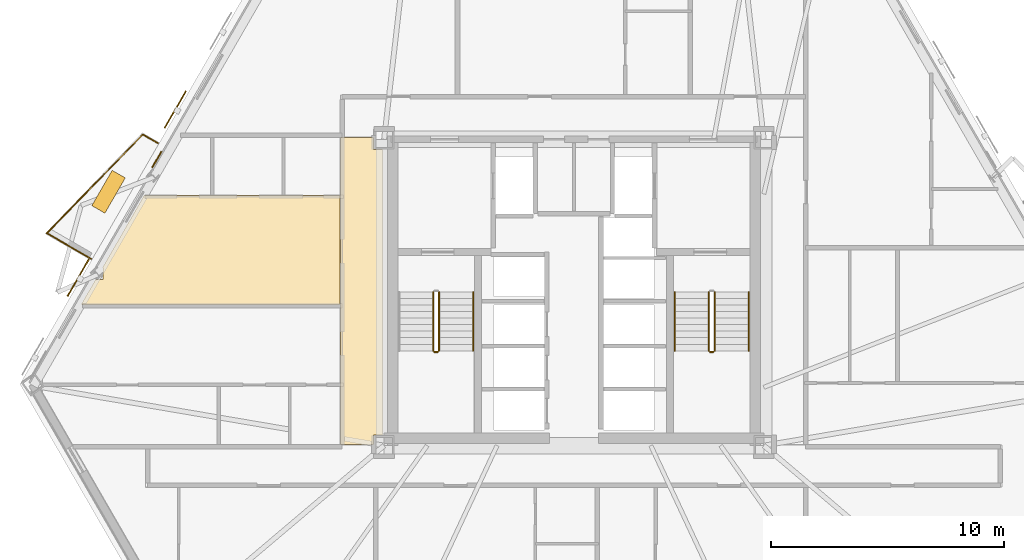
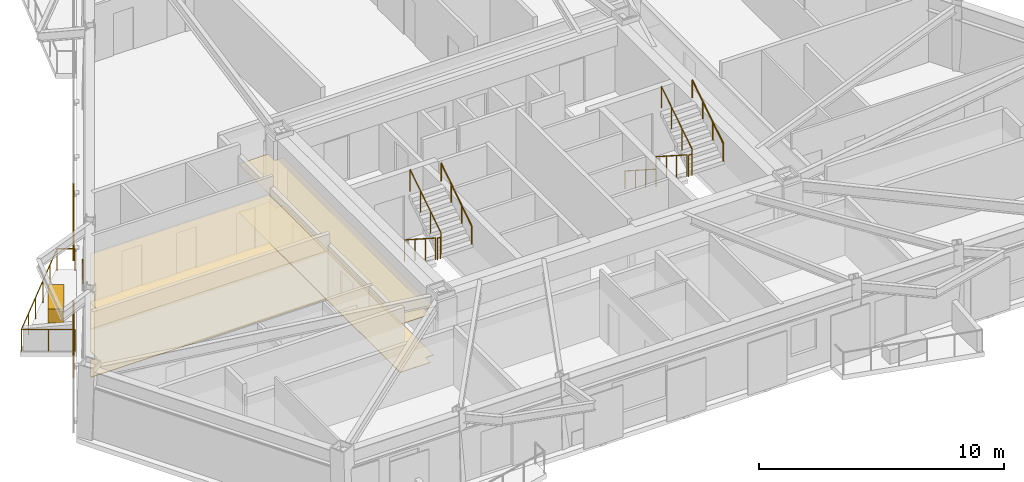
# One storey, part 8 of 10: 12 railings, 6 coverings, 2 shading devices.
"""IFC4 building model written with IfcOpenShell, lengths in metres."""

from ifc_helpers import new_model, si_unit, direction, frame, origin, origin_2d, place, context, subcontext, project, spatial, polyline, rectangle, circle, outline, extrude, material, layer, layer_set, type_object, element, save


model = new_model("IFC4")

# Units and contexts
model_context = context("Model", 3, precision=1e-05, world=origin(), true_north=direction((0.0, 1.0)))
body_context = subcontext(model_context, "Body", "Model", "MODEL_VIEW")
ifc_project = project(units=[si_unit("LENGTHUNIT", "METRE"), si_unit("AREAUNIT", "SQUARE_METRE"), si_unit("VOLUMEUNIT", "CUBIC_METRE"), si_unit("PLANEANGLEUNIT", "RADIAN"), si_unit("MASSUNIT", "GRAM", prefix="KILO")], contexts=[model_context])

# Site, building, storey
site_placement = place(None, origin())
site = spatial("IfcSite", under=ifc_project, at=site_placement, CompositionType="ELEMENT")
building_placement = place(site_placement, origin())
building = spatial("IfcBuilding", under=site, at=building_placement, Name="Oramaril Tower", CompositionType="ELEMENT")
storey_placement = place(building_placement, frame((0.0, 0.0, 96.89990234375)))
storey = spatial("IfcBuildingStorey", under=building, at=storey_placement, Name="L25", CompositionType="ELEMENT", Elevation=96.89990234375)

# Coverings
ifc_material_1 = material(Name="Mineral Fibre Acoustic Ceiling")
ifc_layer_1 = layer(ifc_material_1, 0.02001953125)
ifc_layer_set_1 = layer_set([ifc_layer_1], Name="CVT-CEIL")
covering_type_1 = type_object("IfcCoveringType", Name="CVT-CEIL", PredefinedType="CEILING", material=ifc_layer_set_1)
covering_1_placement = place(storey_placement, frame((0.0, 0.0, 2.400146484375)))
element("IfcCovering", 1, at=covering_1_placement, inside=storey, type_object=covering_type_1, Name="L25 Acoustic Suspended Ceiling 3", PredefinedType="CEILING", context=body_context, shape_type="SweptSolid", body=[
    extrude(outline(polyline([(28.905029296875, 23.705078125), (29.280029296875, 23.705078125), (29.280029296875, 11.445068359375), (28.905029296875, 11.445068359375), (28.905029296875, 11.050048828125), (27.469970703125, 11.050048828125), (27.469970703125, 24.219970703125), (28.905029296875, 24.219970703125), (28.905029296875, 23.705078125)])), origin(), (0.0, 0.0, 1.0), 0.02001953125),
])
covering_2_placement = place(storey_placement, frame((0.0, 0.0, 2.400146484375)))
element("IfcCovering", 2, at=covering_2_placement, inside=storey, type_object=covering_type_1, Name="L25 Acoustic Suspended Ceiling 16", PredefinedType="CEILING", context=body_context, shape_type="SweptSolid", body=[
    extrude(outline(polyline([(16.9658203125, 18.12060546875), (17.294189453125, 18.12060546875), (17.294189453125, 18.6337890625), (17.26220703125, 18.6337890625), (19.0478515625, 21.726806640625), (27.449951171875, 21.726806640625), (27.449951171875, 17.06201171875), (16.354736328125, 17.06201171875), (16.9658203125, 18.12060546875)])), origin(), (0.0, 0.0, 1.0), 0.02001953125),
])
ifc_material_2 = material(Name="Warm Cream Limestone", Category="masonry")
ifc_layer_2 = layer(ifc_material_2, 0.050048828125)
ifc_layer_set_2 = layer_set([ifc_layer_2], Name="CVT-CLD")
covering_type_2 = type_object("IfcCoveringType", Name="CVT-CLD", PredefinedType="CLADDING", material=ifc_layer_set_2)
covering_3_placement = place(storey_placement, frame((19.596435546875, 23.279052734375, 0.0400390625), z_axis=(0.0, 0.0, 1.0), x_axis=(-0.5, -0.866025403784, 0.0)))
element("IfcCovering", 3, at=covering_3_placement, inside=storey, type_object=covering_type_2, Name="L25 Warm Cream Limestone Spandrel Cladding", PredefinedType="CLADDING", context=body_context, shape_type="SweptSolid", body=[
    extrude(rectangle(XDim=0.800048828125, YDim=0.050048828125, at=origin_2d()), origin(), (0.0, 0.0, 1.0), 0.679931640625),
])
covering_4_placement = place(storey_placement, frame((17.523193359375, 21.89501953125, 0.0), z_axis=(0.0, 0.0, 1.0), x_axis=(-0.5, -0.866025403784, 0.0)))
element("IfcCovering", 4, at=covering_4_placement, inside=storey, type_object=covering_type_2, Name="L25 Structural Tree Planter Box L25-BAL-NW2", PredefinedType="CLADDING", context=body_context, shape_type="SweptSolid", body=[
    extrude(rectangle(XDim=1.75, YDim=0.64990234375, at=origin_2d()), origin(), (0.0, 0.0, 1.0), 0.699951171875),
])
ifc_material_3 = material(Name="Honed Quartzite Stone Flooring", Category="masonry")
ifc_layer_3 = layer(ifc_material_3, 0.02490234375)
ifc_layer_set_3 = layer_set([ifc_layer_3], Name="CVT-FLR")
covering_type_3 = type_object("IfcCoveringType", Name="CVT-FLR", PredefinedType="FLOORING", material=ifc_layer_set_3)
covering_5_placement = place(storey_placement, origin())
element("IfcCovering", 5, at=covering_5_placement, inside=storey, type_object=covering_type_3, Name="L25 Honed Stone Floor Finish 3", PredefinedType="FLOORING", context=body_context, shape_type="SweptSolid", body=[
    extrude(outline(polyline([(28.905029296875, 23.705078125), (29.280029296875, 23.705078125), (29.280029296875, 11.445068359375), (28.905029296875, 11.445068359375), (28.905029296875, 11.050048828125), (27.469970703125, 11.050048828125), (27.469970703125, 24.219970703125), (28.905029296875, 24.219970703125), (28.905029296875, 23.705078125)])), origin(), (0.0, 0.0, 1.0), 0.025146484375),
])
covering_6_placement = place(storey_placement, origin())
element("IfcCovering", 6, at=covering_6_placement, inside=storey, type_object=covering_type_3, Name="L25 Honed Stone Floor Finish 16", PredefinedType="FLOORING", context=body_context, shape_type="SweptSolid", body=[
    extrude(outline(polyline([(16.9658203125, 18.12060546875), (17.294189453125, 18.12060546875), (17.294189453125, 18.6337890625), (17.26220703125, 18.6337890625), (19.0478515625, 21.726806640625), (27.449951171875, 21.726806640625), (27.449951171875, 17.06201171875), (16.354736328125, 17.06201171875), (16.9658203125, 18.12060546875)])), origin(), (0.0, 0.0, 1.0), 0.025146484375),
])

# Railings
ifc_material_4 = material(Name="Stainless Steel 316L", Category="steel")
railing_type_1 = type_object("IfcRailingType", Name="RLT-GRD", PredefinedType="GUARDRAIL", material=ifc_material_4)
railing_1_placement = place(storey_placement, frame((16.7734375, 19.01953125, 0.0)))
element("IfcRailing", 7, at=railing_1_placement, inside=storey, type_object=railing_type_1, Name="L25 Balcony Guardrail L25-BAL-NW2.1", PredefinedType="GUARDRAIL", context=body_context, shape_type="SweptSolid", body=[
    extrude(circle(Radius=0.02392578125, at=origin_2d()), frame((0.0, 0.0, 1.076171875), z_axis=(-0.866020500697, 0.5000084923, 0.0), x_axis=(-0.5000084923, -0.866020500697, 0.0)), (0.0, 0.0, 1.0), 2.19189453125),
    extrude(circle(Radius=0.02099609375, at=origin_2d()), origin(), (0.0, 0.0, 1.0), 1.052001953125),
    extrude(circle(Radius=0.02099609375, at=origin_2d()), frame((-0.94921875, 0.5478515625, 0.0)), (0.0, 0.0, 1.0), 1.052001953125),
    extrude(circle(Radius=0.02099609375, at=origin_2d()), frame((-1.898193359375, 1.095947265625, 0.0)), (0.0, 0.0, 1.0), 1.052001953125),
])
railing_2_placement = place(storey_placement, frame((14.875244140625, 20.115478515625, 0.0)))
element("IfcRailing", 8, at=railing_2_placement, inside=storey, type_object=railing_type_1, Name="L25 Balcony Guardrail L25-BAL-NW2.2", PredefinedType="GUARDRAIL", context=body_context, shape_type="SweptSolid", body=[
    extrude(circle(Radius=0.02392578125, at=origin_2d()), frame((0.0, 0.0, 1.076171875), z_axis=(0.697186915353, 0.716889395277, 0.0), x_axis=(-0.716889395277, 0.697186915353, 0.0)), (0.0, 0.0, 1.0), 5.91064453125),
    extrude(circle(Radius=0.02099609375, at=origin_2d()), origin(), (0.0, 0.0, 1.0), 1.052001953125),
    extrude(circle(Radius=0.02099609375, at=origin_2d()), frame((0.82421875, 0.847412109375, 0.0)), (0.0, 0.0, 1.0), 1.052001953125),
    extrude(circle(Radius=0.02099609375, at=origin_2d()), frame((1.6484375, 1.69482421875, 0.0)), (0.0, 0.0, 1.0), 1.052001953125),
    extrude(circle(Radius=0.02099609375, at=origin_2d()), frame((2.472412109375, 2.54248046875, 0.0)), (0.0, 0.0, 1.0), 1.052001953125),
    extrude(circle(Radius=0.02099609375, at=origin_2d()), frame((3.296630859375, 3.389892578125, 0.0)), (0.0, 0.0, 1.0), 1.052001953125),
    extrude(circle(Radius=0.02099609375, at=origin_2d()), frame((4.120849609375, 4.2373046875, 0.0)), (0.0, 0.0, 1.0), 1.052001953125),
])
railing_3_placement = place(storey_placement, frame((18.99609375, 24.352783203125, 0.0)))
element("IfcRailing", 9, at=railing_3_placement, inside=storey, type_object=railing_type_1, Name="L25 Balcony Guardrail L25-BAL-NW2.3", PredefinedType="GUARDRAIL", context=body_context, shape_type="SweptSolid", body=[
    extrude(circle(Radius=0.02392578125, at=origin_2d()), frame((0.0, 0.0, 1.076171875), z_axis=(0.865884080729, -0.500244698863, 0.0), x_axis=(0.500244698863, 0.865884080729, 0.0)), (0.0, 0.0, 1.0), 0.741943359375),
    extrude(circle(Radius=0.02099609375, at=origin_2d()), origin(), (0.0, 0.0, 1.0), 1.052001953125),
    extrude(circle(Radius=0.02099609375, at=origin_2d()), frame((0.642333984375, -0.37109375, 0.0)), (0.0, 0.0, 1.0), 1.052001953125),
])
railing_4_placement = place(storey_placement, frame((31.4599609375, 17.590087890625, 0.18017578125)))
element("IfcRailing", 10, at=railing_4_placement, inside=storey, type_object=railing_type_1, Name="L25 ST-1 stair guard 1", PredefinedType="GUARDRAIL", context=body_context, shape_type="SweptSolid", body=[
    extrude(circle(Radius=0.02392578125, at=origin_2d()), frame((0.0, 0.0, 1.076171875), z_axis=(0.0, -0.841199657755, 0.540724639528), x_axis=(1.0, 0.0, 0.0)), (0.0, 0.0, 1.0), 2.995849609375),
    extrude(circle(Radius=0.02099609375, at=origin_2d()), origin(), (0.0, 0.0, 1.0), 1.052001953125),
    extrude(circle(Radius=0.02099609375, at=origin_2d()), frame((0.0, -0.840087890625, 0.5400390625)), (0.0, 0.0, 1.0), 1.052001953125),
    extrude(circle(Radius=0.02099609375, at=origin_2d()), frame((0.0, -1.679931640625, 1.079833984375)), (0.0, 0.0, 1.0), 1.052001953125),
    extrude(circle(Radius=0.02099609375, at=origin_2d()), frame((0.0, -2.52001953125, 1.619873046875)), (0.0, 0.0, 1.0), 1.052001953125),
])
railing_5_placement = place(storey_placement, frame((31.510009765625, 15.02001953125, 1.800048828125)))
element("IfcRailing", 11, at=railing_5_placement, inside=storey, type_object=railing_type_1, Name="L25 ST-1 stair guard 2", PredefinedType="GUARDRAIL", context=body_context, shape_type="SweptSolid", body=[
    extrude(circle(Radius=0.02392578125, at=origin_2d()), frame((0.0, 0.0, 1.076171875), z_axis=(1.0, 0.0, 0.0), x_axis=(0.0, 1.0, 0.0)), (0.0, 0.0, 1.0), 0.14990234375),
    extrude(circle(Radius=0.02099609375, at=origin_2d()), origin(), (0.0, 0.0, 1.0), 1.052001953125),
    extrude(circle(Radius=0.02099609375, at=origin_2d()), frame((0.14990234375, 0.0, 0.0)), (0.0, 0.0, 1.0), 1.052001953125),
])
railing_6_placement = place(storey_placement, frame((31.7099609375, 15.070068359375, 1.97998046875)))
element("IfcRailing", 12, at=railing_6_placement, inside=storey, type_object=railing_type_1, Name="L25 ST-1 stair guard 3", PredefinedType="GUARDRAIL", context=body_context, shape_type="SweptSolid", body=[
    extrude(circle(Radius=0.02392578125, at=origin_2d()), frame((0.0, 0.0, 1.076171875), z_axis=(0.0, 0.841162588446, 0.540782303519), x_axis=(-1.0, 0.0, 0.0)), (0.0, 0.0, 1.0), 2.995849609375),
    extrude(circle(Radius=0.02099609375, at=origin_2d()), origin(), (0.0, 0.0, 1.0), 1.052001953125),
    extrude(circle(Radius=0.02099609375, at=origin_2d()), frame((0.0, 0.840087890625, 0.5400390625)), (0.0, 0.0, 1.0), 1.052001953125),
    extrude(circle(Radius=0.02099609375, at=origin_2d()), frame((0.0, 1.679931640625, 1.080078125)), (0.0, 0.0, 1.0), 1.052001953125),
    extrude(circle(Radius=0.02099609375, at=origin_2d()), frame((0.0, 2.52001953125, 1.6201171875)), (0.0, 0.0, 1.0), 1.052001953125),
])
railing_7_placement = place(storey_placement, frame((43.2900390625, 17.590087890625, 0.18017578125)))
element("IfcRailing", 13, at=railing_7_placement, inside=storey, type_object=railing_type_1, Name="L25 ST-2 stair guard 1", PredefinedType="GUARDRAIL", context=body_context, shape_type="SweptSolid", body=[
    extrude(circle(Radius=0.02392578125, at=origin_2d()), frame((0.0, 0.0, 1.076171875), z_axis=(0.0, -0.841199657755, 0.540724639528), x_axis=(1.0, 0.0, 0.0)), (0.0, 0.0, 1.0), 2.995849609375),
    extrude(circle(Radius=0.02099609375, at=origin_2d()), origin(), (0.0, 0.0, 1.0), 1.052001953125),
    extrude(circle(Radius=0.02099609375, at=origin_2d()), frame((0.0, -0.840087890625, 0.5400390625)), (0.0, 0.0, 1.0), 1.052001953125),
    extrude(circle(Radius=0.02099609375, at=origin_2d()), frame((0.0, -1.679931640625, 1.079833984375)), (0.0, 0.0, 1.0), 1.052001953125),
    extrude(circle(Radius=0.02099609375, at=origin_2d()), frame((0.0, -2.52001953125, 1.619873046875)), (0.0, 0.0, 1.0), 1.052001953125),
])
railing_8_placement = place(storey_placement, frame((43.340087890625, 15.02001953125, 1.800048828125)))
element("IfcRailing", 14, at=railing_8_placement, inside=storey, type_object=railing_type_1, Name="L25 ST-2 stair guard 2", PredefinedType="GUARDRAIL", context=body_context, shape_type="SweptSolid", body=[
    extrude(circle(Radius=0.02392578125, at=origin_2d()), frame((0.0, 0.0, 1.076171875), z_axis=(1.0, 0.0, 0.0), x_axis=(0.0, 1.0, 0.0)), (0.0, 0.0, 1.0), 0.14990234375),
    extrude(circle(Radius=0.02099609375, at=origin_2d()), origin(), (0.0, 0.0, 1.0), 1.052001953125),
    extrude(circle(Radius=0.02099609375, at=origin_2d()), frame((0.14990234375, 0.0, 0.0)), (0.0, 0.0, 1.0), 1.052001953125),
])
railing_9_placement = place(storey_placement, frame((43.5400390625, 15.070068359375, 1.97998046875)))
element("IfcRailing", 15, at=railing_9_placement, inside=storey, type_object=railing_type_1, Name="L25 ST-2 stair guard 3", PredefinedType="GUARDRAIL", context=body_context, shape_type="SweptSolid", body=[
    extrude(circle(Radius=0.02392578125, at=origin_2d()), frame((0.0, 0.0, 1.076171875), z_axis=(0.0, 0.841162588446, 0.540782303519), x_axis=(-1.0, 0.0, 0.0)), (0.0, 0.0, 1.0), 2.995849609375),
    extrude(circle(Radius=0.02099609375, at=origin_2d()), origin(), (0.0, 0.0, 1.0), 1.052001953125),
    extrude(circle(Radius=0.02099609375, at=origin_2d()), frame((0.0, 0.840087890625, 0.5400390625)), (0.0, 0.0, 1.0), 1.052001953125),
    extrude(circle(Radius=0.02099609375, at=origin_2d()), frame((0.0, 1.679931640625, 1.080078125)), (0.0, 0.0, 1.0), 1.052001953125),
    extrude(circle(Radius=0.02099609375, at=origin_2d()), frame((0.0, 2.52001953125, 1.6201171875)), (0.0, 0.0, 1.0), 1.052001953125),
])
ifc_material_5 = material(Name="Stainless Steel 316L", Category="steel")
railing_type_2 = type_object("IfcRailingType", Name="RLT-HND", PredefinedType="HANDRAIL", material=ifc_material_5)
railing_10_placement = place(storey_placement, frame((33.169921875, 15.070068359375, 1.97998046875)))
element("IfcRailing", 16, at=railing_10_placement, inside=storey, type_object=railing_type_2, Name="L25 ST-1 stair handrail 2", PredefinedType="HANDRAIL", context=body_context, shape_type="SweptSolid", body=[
    extrude(circle(Radius=0.02392578125, at=origin_2d()), frame((0.0, 0.0, 0.8759765625), z_axis=(0.0, 0.841162588446, 0.540782303519), x_axis=(-1.0, 0.0, 0.0)), (0.0, 0.0, 1.0), 2.995849609375),
    extrude(circle(Radius=0.02099609375, at=origin_2d()), origin(), (0.0, 0.0, 1.0), 0.851806640625),
    extrude(circle(Radius=0.02099609375, at=origin_2d()), frame((0.0, 0.840087890625, 0.5400390625)), (0.0, 0.0, 1.0), 0.851806640625),
    extrude(circle(Radius=0.02099609375, at=origin_2d()), frame((0.0, 1.679931640625, 1.080078125)), (0.0, 0.0, 1.0), 0.851806640625),
    extrude(circle(Radius=0.02099609375, at=origin_2d()), frame((0.0, 2.52001953125, 1.6201171875)), (0.0, 0.0, 1.0), 0.851806640625),
])
railing_11_placement = place(storey_placement, frame((41.830078125, 17.590087890625, 0.18017578125)))
element("IfcRailing", 17, at=railing_11_placement, inside=storey, type_object=railing_type_2, Name="L25 ST-2 stair handrail 1", PredefinedType="HANDRAIL", context=body_context, shape_type="SweptSolid", body=[
    extrude(circle(Radius=0.02392578125, at=origin_2d()), frame((0.0, 0.0, 0.8759765625), z_axis=(0.0, -0.841199657755, 0.540724639528), x_axis=(1.0, 0.0, 0.0)), (0.0, 0.0, 1.0), 2.995849609375),
    extrude(circle(Radius=0.02099609375, at=origin_2d()), origin(), (0.0, 0.0, 1.0), 0.851806640625),
    extrude(circle(Radius=0.02099609375, at=origin_2d()), frame((0.0, -0.840087890625, 0.5400390625)), (0.0, 0.0, 1.0), 0.851806640625),
    extrude(circle(Radius=0.02099609375, at=origin_2d()), frame((0.0, -1.679931640625, 1.079833984375)), (0.0, 0.0, 1.0), 0.851806640625),
    extrude(circle(Radius=0.02099609375, at=origin_2d()), frame((0.0, -2.52001953125, 1.619873046875)), (0.0, 0.0, 1.0), 0.851806640625),
])
railing_12_placement = place(storey_placement, frame((45.0, 15.070068359375, 1.97998046875)))
element("IfcRailing", 18, at=railing_12_placement, inside=storey, type_object=railing_type_2, Name="L25 ST-2 stair handrail 2", PredefinedType="HANDRAIL", context=body_context, shape_type="SweptSolid", body=[
    extrude(circle(Radius=0.02392578125, at=origin_2d()), frame((0.0, 0.0, 0.8759765625), z_axis=(0.0, 0.841162588446, 0.540782303519), x_axis=(-1.0, 0.0, 0.0)), (0.0, 0.0, 1.0), 2.995849609375),
    extrude(circle(Radius=0.02099609375, at=origin_2d()), origin(), (0.0, 0.0, 1.0), 0.851806640625),
    extrude(circle(Radius=0.02099609375, at=origin_2d()), frame((0.0, 0.840087890625, 0.5400390625)), (0.0, 0.0, 1.0), 0.851806640625),
    extrude(circle(Radius=0.02099609375, at=origin_2d()), frame((0.0, 1.679931640625, 1.080078125)), (0.0, 0.0, 1.0), 0.851806640625),
    extrude(circle(Radius=0.02099609375, at=origin_2d()), frame((0.0, 2.52001953125, 1.6201171875)), (0.0, 0.0, 1.0), 0.851806640625),
])

# Shading devices
for number, where, z_axis, x_axis, name in (
    (19, (16.2197265625, 18.204345703125, -0.02001953125), (0.0, 0.0, 1.0), (-0.5, -0.866025403784, 0.0), "L25 Perforated Ceramic Solar Screen"),
    (20, (20.389404296875, 25.426025390625, -0.02001953125), (0.0, 0.0, 1.0), (-0.5, -0.866025403784, 0.0), "L25 Perforated Ceramic Solar Screen"),
):
    element("IfcShadingDevice", number, at=place(storey_placement, frame(where, z_axis=z_axis, x_axis=x_axis)), inside=storey, Name=name, ObjectType="SCREEN", PredefinedType="USERDEFINED", context=body_context, shape_type="SweptSolid", body=[
        extrude(rectangle(XDim=1.8330078125, YDim=0.050048828125, at=origin_2d()), origin(), (0.0, 0.0, 1.0), 2.577880859375),
    ])

save(model, "model.ifc")
